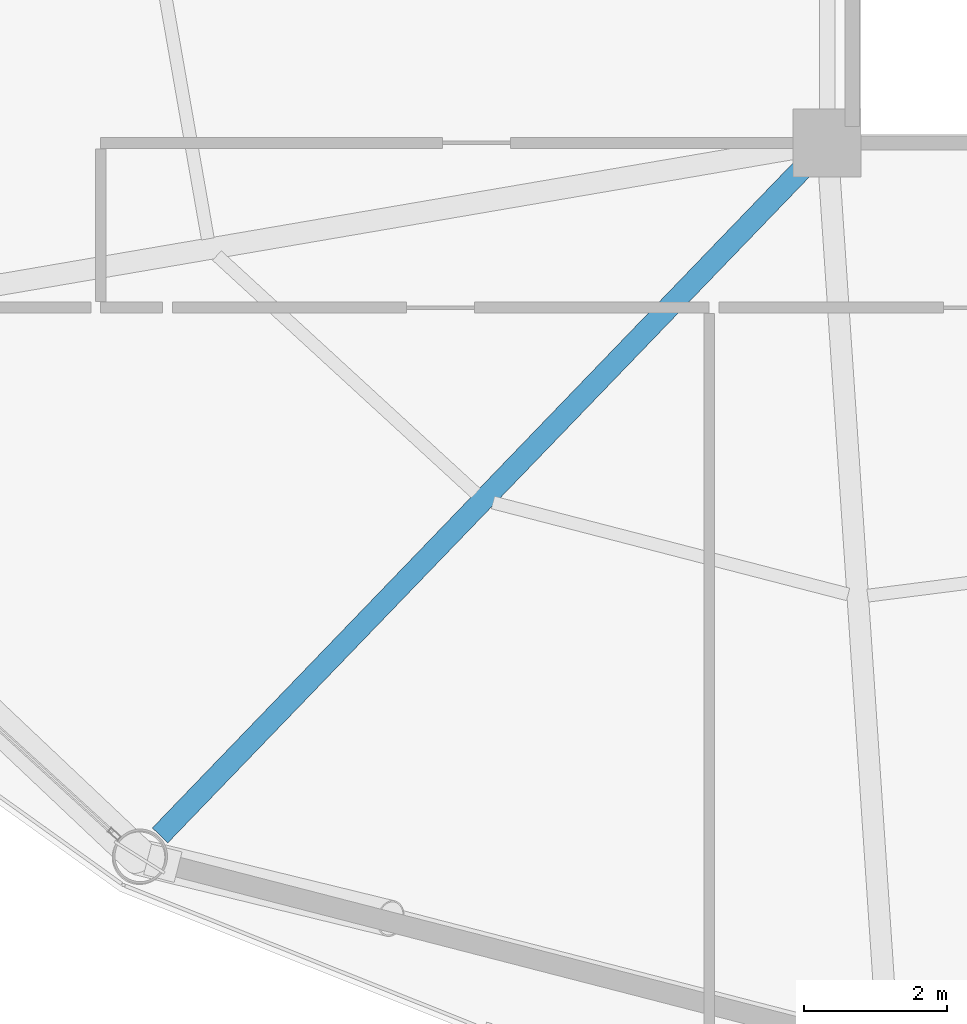
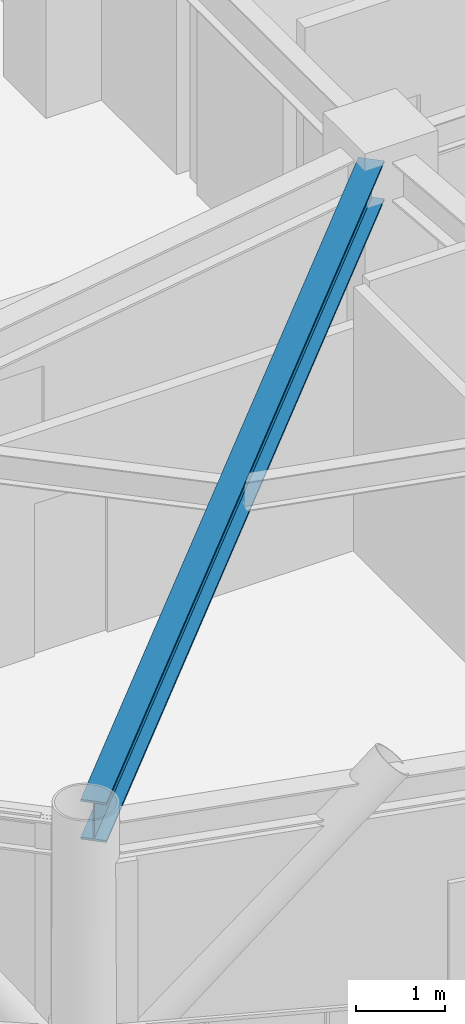
# One storey, part 4 of 27: 1 beam.
"""IFC4 building model written with IfcOpenShell, lengths in metres."""

import ifcopenshell
import ifcopenshell.guid

model = None  # the IFC model being written
_history = None  # IfcOwnerHistory: only IFC2X3 demands one
_inside = {}  # id of a spatial element -> (the spatial element, [elements in it])
_under = {}  # id of a project, library or spatial element -> (it, [spatial elements below it])
_declared = {}  # id of a project -> (the project, [libraries it declares])
_typed = {}  # id of a type object -> (the type object, [elements of that type])
_made_of = {}  # id of a material, layer set ... -> (it, [elements and type objects made of it])


def new_model(schema):
    """Start an empty IFC model of exactly this schema.

    Asked for "IFC4X3", IfcOpenShell would pick the latest addendum, in which some entities
    have other attributes; the version numbers below select the first issue.
    IFC2X3 requires an IfcOwnerHistory on every rooted entity: one is made here for all.
    """
    global model, _history
    if schema == "IFC4X3":
        model = ifcopenshell.file(schema_version=(4, 3, 0, 0))
    else:
        model = ifcopenshell.file(schema=schema)
    _inside.clear()
    _under.clear()
    _declared.clear()
    _typed.clear()
    _made_of.clear()
    _history = None
    if model.schema == "IFC2X3":
        org = make("IfcOrganization", Name="unknown")
        user = make(
            "IfcPersonAndOrganization",
            ThePerson=make("IfcPerson", FamilyName="unknown"),
            TheOrganization=org,
        )
        app = make(
            "IfcApplication",
            ApplicationDeveloper=org,
            Version="unknown",
            ApplicationFullName="unknown",
            ApplicationIdentifier="unknown",
        )
        _history = make(
            "IfcOwnerHistory",
            OwningUser=user,
            OwningApplication=app,
            ChangeAction="ADDED",
            CreationDate=0,
        )
    return model


def make(cls, **values):
    """One entity of the class cls with the attributes given. An attribute that is None is left unset."""
    return model.create_entity(
        cls, **{name: value for name, value in values.items() if value is not None}
    )


def rooted(cls, **values):
    """An entity with a GlobalId (a new one), such as an element, a storey or a relation."""
    return make(cls, GlobalId=ifcopenshell.guid.new(), OwnerHistory=_history, **values)


def si_unit(unit_type, name, prefix=None):
    """IfcSIUnit, for example si_unit("LENGTHUNIT", "METRE", prefix="MILLI")."""
    return make("IfcSIUnit", UnitType=unit_type, Prefix=prefix, Name=name)


def assignment(units):
    """IfcUnitAssignment: the units of a project."""
    return None if units is None else make("IfcUnitAssignment", Units=units)


def point(xyz):
    """IfcCartesianPoint."""
    return None if xyz is None else make("IfcCartesianPoint", Coordinates=xyz)


def direction(xyz):
    """IfcDirection."""
    return None if xyz is None else make("IfcDirection", DirectionRatios=xyz)


def frame(location, z_axis=None, x_axis=None):
    """IfcAxis2Placement3D, a coordinate frame: its origin and axes. An axis left out is left unset."""
    return make(
        "IfcAxis2Placement3D",
        Location=point(location),
        Axis=direction(z_axis),
        RefDirection=direction(x_axis),
    )


def frame_2d(location, x_axis=None):
    """IfcAxis2Placement2D, a coordinate frame in the plane: its origin and x axis."""
    return make(
        "IfcAxis2Placement2D", Location=point(location), RefDirection=direction(x_axis)
    )


def origin():
    """The frame at (0, 0, 0) with its axes left unset."""
    return frame((0.0, 0.0, 0.0))


def origin_2d():
    """The frame at (0, 0) in the plane with its x axis left unset."""
    return frame_2d((0.0, 0.0))


def place(relative_to, where):
    """IfcLocalPlacement: puts the frame where relative to a parent placement (None: the world)."""
    return make(
        "IfcLocalPlacement", PlacementRelTo=relative_to, RelativePlacement=where
    )


def context(
    kind, dimensions, precision=None, world=None, true_north=None, identifier=None
):
    """IfcGeometricRepresentationContext, for example the 3D "Model" context."""
    return make(
        "IfcGeometricRepresentationContext",
        ContextIdentifier=identifier,
        ContextType=kind,
        CoordinateSpaceDimension=dimensions,
        Precision=precision,
        WorldCoordinateSystem=world,
        TrueNorth=true_north,
    )


def subcontext(parent, identifier, kind, view, scale=None):
    """IfcGeometricRepresentationSubContext, for example "Body" below "Model"."""
    return make(
        "IfcGeometricRepresentationSubContext",
        ContextIdentifier=identifier,
        ContextType=kind,
        ParentContext=parent,
        TargetScale=scale,
        TargetView=view,
    )


def project(units=None, contexts=None):
    """IfcProject with its units and contexts."""
    return rooted(
        "IfcProject",
        Name="project",
        RepresentationContexts=contexts,
        UnitsInContext=assignment(units),
    )


def spatial(cls, under=None, at=None, **own):
    """A site, building, storey or space (cls), placed at a placement, below another one or the project."""
    s = rooted(cls, ObjectPlacement=at, **own)
    if under is not None:
        _under.setdefault(under.id(), (under, []))[1].append(s)
    return s


def profile(cls, at=None, kind="AREA", **sizes):
    """A parametric profile (cls). Its sizes go by their IFC names, for example OverallWidth=200.0."""
    return make(cls, ProfileType=kind, Position=at, **sizes)


def i_section(**sizes):
    """IfcIShapeProfileDef."""
    return profile("IfcIShapeProfileDef", **sizes)


def extrude(swept, where, along, depth):
    """IfcExtrudedAreaSolid: the profile swept, set in the frame where, extruded along a direction by depth."""
    return make(
        "IfcExtrudedAreaSolid",
        SweptArea=swept,
        Position=where,
        ExtrudedDirection=direction(along),
        Depth=depth,
    )


def shape(context_of_items, identifier, shape_type, items):
    """IfcShapeRepresentation: the items that make up one representation, for example the "Body"."""
    return make(
        "IfcShapeRepresentation",
        ContextOfItems=context_of_items,
        RepresentationIdentifier=identifier,
        RepresentationType=shape_type,
        Items=items,
    )


def material(Name=None, Category=None):
    """IfcMaterial."""
    return make("IfcMaterial", Name=Name, Category=Category)


def material_profile(
    of_material, cross_section, Name=None, Category=None, Priority=None
):
    """IfcMaterialProfile: a cross section and its material."""
    return make(
        "IfcMaterialProfile",
        Name=Name,
        Material=of_material,
        Profile=cross_section,
        Priority=Priority,
        Category=Category,
    )


def profile_set(profiles, Name=None, composite=None):
    """IfcMaterialProfileSet."""
    return make(
        "IfcMaterialProfileSet",
        Name=Name,
        MaterialProfiles=profiles,
        CompositeProfile=composite,
    )


def made_of(thing, what):
    """Note that an element or type object is made of a material, layer set ...; save() writes the relation."""
    if what is not None:
        _made_of.setdefault(what.id(), (what, []))[1].append(thing)
    return thing


def type_object(cls, material=None, **own):
    """A type object (cls), such as IfcWallType, which elements share."""
    return made_of(rooted(cls, **own), material)


def element(
    cls,
    number,
    at=None,
    inside=None,
    cuts=None,
    type_object=None,
    material=None,
    context=None,
    identifier="Body",
    shape_type=None,
    held_by="IfcProductDefinitionShape",
    body=None,
    shapes=None,
    **own,
):
    """One element of the class cls, such as IfcWall. Its Tag is "e" and its number.

    at: its placement. inside: the storey or other place that contains it. cuts: it is an
    opening in that element (IfcRelVoidsElement). A single representation is given by context,
    identifier, shape_type and body (its items); several are given by shapes. held_by: the class
    of the entity that holds the representations. save() writes the other relations.
    """
    e = rooted(cls, Tag="e%d" % number, ObjectPlacement=at, **own)
    if body is not None:
        shapes = [shape(context, identifier, shape_type, body)]
    if shapes is not None:
        e.Representation = make(held_by, Representations=shapes)
    if inside is not None:
        _inside.setdefault(inside.id(), (inside, []))[1].append(e)
    if cuts is not None:
        rooted(
            "IfcRelVoidsElement", RelatingBuildingElement=cuts, RelatedOpeningElement=e
        )
    if type_object is not None:
        _typed.setdefault(type_object.id(), (type_object, []))[1].append(e)
    return made_of(e, material)


def aggregate(whole, parts):
    """IfcRelAggregates: a whole, such as a stair, and the parts it consists of."""
    return rooted("IfcRelAggregates", RelatingObject=whole, RelatedObjects=parts)


def save(model, path):
    """Write the relations noted so far, then the file.

    IfcRelAggregates (storeys below a building ...), IfcRelContainedInSpatialStructure (elements
    in a storey), IfcRelDefinesByType, IfcRelAssociatesMaterial and IfcRelDeclares: one each for
    every whole, place, type object, material and project.
    """
    for whole, parts in _under.values():
        aggregate(whole, parts)
    for where, things in _inside.values():
        rooted(
            "IfcRelContainedInSpatialStructure",
            RelatedElements=things,
            RelatingStructure=where,
        )
    for kind, things in _typed.values():
        rooted("IfcRelDefinesByType", RelatedObjects=things, RelatingType=kind)
    for what, things in _made_of.values():
        rooted("IfcRelAssociatesMaterial", RelatedObjects=things, RelatingMaterial=what)
    for by, libraries in _declared.values():
        rooted("IfcRelDeclares", RelatingContext=by, RelatedDefinitions=libraries)
    model.write(path)


model = new_model("IFC4")

# Units and contexts
model_context = context("Model", 3, precision=1e-05, world=origin(), true_north=direction((0.0, 1.0)))
body_context = subcontext(model_context, "Body", "Model", "MODEL_VIEW")
ifc_project = project(units=[si_unit("LENGTHUNIT", "METRE"), si_unit("AREAUNIT", "SQUARE_METRE"), si_unit("VOLUMEUNIT", "CUBIC_METRE"), si_unit("PLANEANGLEUNIT", "RADIAN"), si_unit("MASSUNIT", "GRAM", prefix="KILO")], contexts=[model_context])

# Site, building, storey
site_placement = place(None, origin())
site = spatial("IfcSite", under=ifc_project, at=site_placement, CompositionType="ELEMENT")
building_placement = place(site_placement, origin())
building = spatial("IfcBuilding", under=site, at=building_placement, Name="Varnakorn Sky Granary", CompositionType="ELEMENT")
storey_placement = place(building_placement, frame((0.0, 0.0, 134.39990234375)))
storey = spatial("IfcBuildingStorey", under=building, at=storey_placement, Name="L33", CompositionType="ELEMENT", Elevation=134.39990234375)

# Beam
ifc_material = material(Name="Steel S355JR", Category="steel")
ifc_material_profile = material_profile(ifc_material, i_section(OverallWidth=0.300048828125, OverallDepth=0.550048828125, WebThickness=0.014892578125, FlangeThickness=0.029052734375, at=origin_2d()), Name="HE 550 B")
ifc_profile_set = profile_set([ifc_material_profile], Name="Steel S355JR")
beam_type = type_object("IfcBeamType", Name="BM-RAD-Z3", PredefinedType="BEAM", material=ifc_profile_set)
beam_placement = place(storey_placement, frame((-2.641357421875, -6.902587890625, 3.364990234375), z_axis=(-0.693823374025, -0.720145211507, 0.0), x_axis=(0.720145211507, -0.693823374025, 0.0)))
element("IfcBeam", 1, at=beam_placement, inside=storey, type_object=beam_type, Name="Radial Floor Girder RG09 L33", PredefinedType="BEAM", context=body_context, shape_type="SweptSolid", body=[
    extrude(i_section(OverallWidth=0.300048828125, OverallDepth=0.550048828125, WebThickness=0.014892578125, FlangeThickness=0.029052734375, at=origin_2d()), origin(), (0.0, 0.0, 1.0), 13.01318359375),
])

save(model, "model.ifc")
